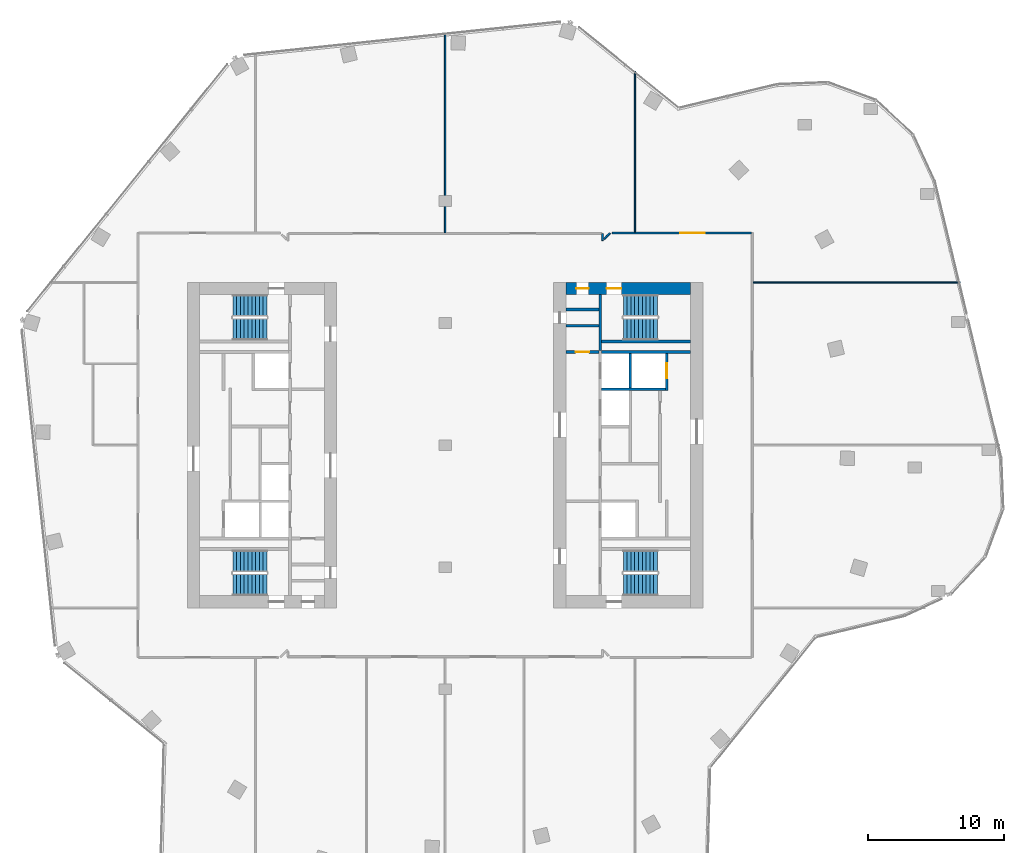
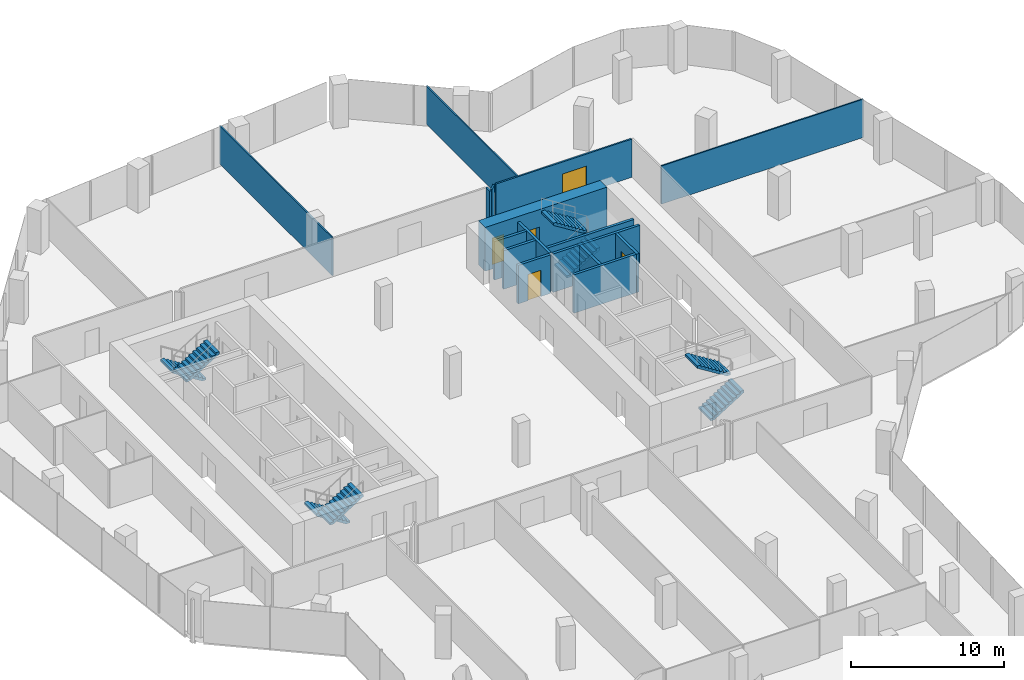
# One storey, part 23 of 26: 16 walls, 8 stair flights, 5 doors, 5 openings, 4 elements without a shape of their own.
"""IFC4 building model written with IfcOpenShell, lengths in metres."""

from ifc_helpers import new_model, si_unit, direction, frame, frame_2d, origin, place, context, subcontext, project, spatial, polyline, rectangle, outline, extrude, material, layer, layer_set, type_object, element, fill, aggregate, save


model = new_model("IFC4")

# Units and contexts
model_context = context("Model", 3, precision=1e-05, world=origin(), true_north=direction((0.0, 1.0)))
body_context = subcontext(model_context, "Body", "Model", "MODEL_VIEW")
ifc_project = project(units=[si_unit("LENGTHUNIT", "METRE"), si_unit("AREAUNIT", "SQUARE_METRE"), si_unit("VOLUMEUNIT", "CUBIC_METRE"), si_unit("PLANEANGLEUNIT", "RADIAN"), si_unit("MASSUNIT", "GRAM", prefix="KILO")], contexts=[model_context])

# Site, building, storey
site_placement = place(None, origin())
site = spatial("IfcSite", under=ifc_project, at=site_placement, CompositionType="ELEMENT")
building_placement = place(site_placement, origin())
building = spatial("IfcBuilding", under=site, at=building_placement, Name="Orlundy Tower", CompositionType="ELEMENT")
storey_placement = place(building_placement, frame((0.0, 0.0, 214.0)))
storey = spatial("IfcBuildingStorey", under=building, at=storey_placement, Name="L56", CompositionType="ELEMENT", Elevation=214.0)

# Wall, openings, doors
ifc_material_1 = material(Name="Concrete C60/75", Category="concrete")
ifc_layer_1 = layer(ifc_material_1, 0.89990234375)
ifc_layer_set_1 = layer_set([ifc_layer_1], Name="CORE WALL 900 C60/75")
wall_type_1 = type_object("IfcWallType", Name="CORE WALL 900 C60/75", PredefinedType="SHEAR", material=ifc_layer_set_1)
wall_1_placement = place(storey_placement, frame((8.89990234375, 11.550048828125, 0.0), z_axis=(0.0, 0.0, 1.0), x_axis=(1.0, 0.0, 0.0)))
wall_1 = element("IfcWall", 1, at=wall_1_placement, inside=storey, type_object=wall_type_1, Name="Core wall E-N L56", PredefinedType="SHEAR", context=body_context, shape_type="SweptSolid", body=[
    extrude(rectangle(XDim=9.2001953125, YDim=0.89990234375, at=frame_2d((4.60009765625, 0.0))), origin(), (0.0, 0.0, 1.0), 3.5),
])
opening_1_placement = place(wall_1_placement, frame((3.0, 0.0, 0.0)))
opening_1 = element("IfcOpeningElement", 2, at=opening_1_placement, cuts=wall_1, Name="Opening 43061", PredefinedType="OPENING", context=body_context, shape_type="SweptSolid", body=[
    extrude(rectangle(XDim=1.10009765625, YDim=2.10009765625, at=frame_2d((0.550048828125, 1.050048828125))), frame((0.0, 0.4599609375, 0.0), z_axis=(0.0, -1.0, 0.0), x_axis=(1.0, 0.0, 0.0)), (0.0, 0.0, 1.0), 0.919921875),
])
opening_2_placement = place(wall_1_placement, frame((0.77001953125, 0.0, 0.0)))
opening_2 = element("IfcOpeningElement", 3, at=opening_2_placement, cuts=wall_1, Name="Opening 43063", PredefinedType="OPENING", context=body_context, shape_type="SweptSolid", body=[
    extrude(rectangle(XDim=0.89990234375, YDim=2.10009765625, at=frame_2d((0.449951171875, 1.050048828125))), frame((0.0, 0.4599609375, 0.0), z_axis=(0.0, -1.0, 0.0), x_axis=(1.0, 0.0, 0.0)), (0.0, 0.0, 1.0), 0.919921875),
])
ifc_material_2 = material(Name="Timber door set", Category="wood")
door_type_1 = type_object("IfcDoorType", Name="Room Door 900x2100", OperationType="SINGLE_SWING_LEFT", PredefinedType="DOOR", material=ifc_material_2)
door_1_placement = place(opening_2_placement, origin())
door_1 = element("IfcDoor", 4, at=door_1_placement, inside=storey, type_object=door_type_1, Name="Store door 43063", OperationType="SINGLE_SWING_LEFT", OverallHeight=2.10009765625, OverallWidth=0.89990234375, PredefinedType="DOOR", context=body_context, shape_type="SweptSolid", body=[
    extrude(rectangle(XDim=0.89990234375, YDim=2.10009765625, at=frame_2d((0.449951171875, 1.050048828125))), frame((0.0, 0.02490234375, 0.0), z_axis=(0.0, -1.0, 0.0), x_axis=(1.0, 0.0, 0.0)), (0.0, 0.0, 1.0), 0.050048828125),
])
fill(opening_2, door_1)
ifc_material_3 = material(Name="Steel door set", Category="steel")
door_type_2 = type_object("IfcDoorType", Name="Stair Door 1100x2100", OperationType="SINGLE_SWING_LEFT", PredefinedType="DOOR", material=ifc_material_3)
door_2_placement = place(opening_1_placement, origin())
door_2 = element("IfcDoor", 5, at=door_2_placement, inside=storey, type_object=door_type_2, Name="Stair door 43061", OperationType="SINGLE_SWING_LEFT", OverallHeight=2.10009765625, OverallWidth=1.10009765625, PredefinedType="DOOR", context=body_context, shape_type="SweptSolid", body=[
    extrude(rectangle(XDim=1.10009765625, YDim=2.10009765625, at=frame_2d((0.550048828125, 1.050048828125))), frame((0.0, 0.02490234375, 0.0), z_axis=(0.0, -1.0, 0.0), x_axis=(1.0, 0.0, 0.0)), (0.0, 0.0, 1.0), 0.050048828125),
])
fill(opening_1, door_2)

# Walls
ifc_material_4 = material(Name="Gypsum board partition")
ifc_layer_2 = layer(ifc_material_4, 0.10009765625)
ifc_layer_set_2 = layer_set([ifc_layer_2], Name="Floor partition 100")
wall_type_2 = type_object("IfcWallType", Name="Floor partition 100", PredefinedType="PARTITIONING", material=ifc_layer_set_2)
wall_2_placement = place(storey_placement, frame((22.712890625, 12.0, 0.0), z_axis=(0.0, 0.0, 1.0), x_axis=(1.0, 0.0, 0.0)))
element("IfcWall", 6, at=wall_2_placement, inside=storey, type_object=wall_type_2, Name="wall-int-L56-017", PredefinedType="PARTITIONING", context=body_context, shape_type="SweptSolid", body=[
    extrude(rectangle(XDim=15.28515625, YDim=0.10009765625, at=frame_2d((7.642578125, 0.0))), origin(), (0.0, 0.0, 1.0), 3.06005859375),
])
wall_3_placement = place(storey_placement, frame((14.0, 15.712890625, 0.0), z_axis=(0.0, 0.0, 1.0), x_axis=(0.0, 1.0, 0.0)))
element("IfcWall", 7, at=wall_3_placement, inside=storey, type_object=wall_type_2, Name="wall-int-L56-026", PredefinedType="PARTITIONING", context=body_context, shape_type="SweptSolid", body=[
    extrude(rectangle(XDim=11.8740234375, YDim=0.10009765625, at=frame_2d((5.93701171875, 0.0))), origin(), (0.0, 0.0, 1.0), 3.06005859375),
])
wall_4_placement = place(storey_placement, frame((0.0, 15.6640625, 0.0), z_axis=(0.0, 0.0, 1.0), x_axis=(0.0, 1.0, 0.0)))
element("IfcWall", 8, at=wall_4_placement, inside=storey, type_object=wall_type_2, Name="wall-int-L56-031", PredefinedType="PARTITIONING", context=body_context, shape_type="SweptSolid", body=[
    extrude(rectangle(XDim=14.7529296875, YDim=0.10009765625, at=frame_2d((7.37646484375, 0.0))), origin(), (0.0, 0.0, 1.0), 3.06005859375),
])

# Wall, opening, door
ifc_material_5 = material(Name="Gypsum board partition, double layer")
ifc_layer_3 = layer(ifc_material_5, 0.125)
ifc_layer_set_3 = layer_set([ifc_layer_3], Name="Floor partition 125")
wall_type_3 = type_object("IfcWallType", Name="Floor partition 125", PredefinedType="PARTITIONING", material=ifc_layer_set_3)
wall_5_placement = place(storey_placement, frame((12.31103515625, 15.65087890625, 0.0), z_axis=(0.0, 0.0, 1.0), x_axis=(1.0, 0.0, 0.0)))
wall_5 = element("IfcWall", 9, at=wall_5_placement, inside=storey, type_object=wall_type_3, Name="wall-int-L56-020", PredefinedType="PARTITIONING", context=body_context, shape_type="SweptSolid", body=[
    extrude(rectangle(XDim=10.27587890625, YDim=0.125, at=frame_2d((5.137939453125, 0.0))), origin(), (0.0, 0.0, 1.0), 3.06005859375),
])
opening_3_placement = place(wall_5_placement, frame((5.0390625, 0.0, 0.0)))
opening_3 = element("IfcOpeningElement", 10, at=opening_3_placement, cuts=wall_5, Name="Opening 43110", PredefinedType="OPENING", context=body_context, shape_type="SweptSolid", body=[
    extrude(rectangle(XDim=1.800048828125, YDim=2.10009765625, at=frame_2d((0.89990234375, 1.050048828125))), frame((0.0, 0.072509765625, 0.0), z_axis=(0.0, -1.0, 0.0), x_axis=(1.0, 0.0, 0.0)), (0.0, 0.0, 1.0), 0.14501953125),
])
ifc_material_6 = material(Name="Timber door leaf", Category="wood")
door_type_3 = type_object("IfcDoorType", Name="Floor door double 1800 FD30S", OperationType="NOTDEFINED", PredefinedType="DOOR", material=ifc_material_6)
door_3_placement = place(opening_3_placement, origin())
door_3 = element("IfcDoor", 11, at=door_3_placement, inside=storey, type_object=door_type_3, Name="Door 43110", OperationType="DOUBLE_DOOR_SINGLE_SWING", OverallHeight=2.10009765625, OverallWidth=1.800048828125, PredefinedType="DOOR", context=body_context, shape_type="SweptSolid", body=[
    extrude(rectangle(XDim=1.800048828125, YDim=2.10009765625, at=frame_2d((0.89990234375, 1.050048828125))), frame((0.0, 0.02490234375, 0.0), z_axis=(0.0, -1.0, 0.0), x_axis=(1.0, 0.0, 0.0)), (0.0, 0.0, 1.0), 0.050048828125),
])
fill(opening_3, door_3)

# Walls
wall_6_placement = place(storey_placement, frame((11.72900390625, 15.20703125, 0.0), z_axis=(0.0, 0.0, 1.0), x_axis=(0.707106781187, 0.707106781187, 0.0)))
element("IfcWall", 12, at=wall_6_placement, inside=storey, type_object=wall_type_3, Name="wall-int-L56-022", PredefinedType="PARTITIONING", context=body_context, shape_type="SweptSolid", body=[
    extrude(rectangle(XDim=0.599609375, YDim=0.125, at=frame_2d((0.2998046875, 0.0))), origin(), (0.0, 0.0, 1.0), 3.06005859375),
])
wall_7_placement = place(storey_placement, frame((11.60107421875, 15.092041015625, 0.0), z_axis=(0.0, 0.0, 1.0), x_axis=(0.0, 1.0, 0.0)))
element("IfcWall", 13, at=wall_7_placement, inside=storey, type_object=wall_type_3, Name="wall-int-L56-028", PredefinedType="PARTITIONING", context=body_context, shape_type="SweptSolid", body=[
    extrude(rectangle(XDim=0.508056640625, YDim=0.125, at=frame_2d((0.25390625, 0.0))), origin(), (0.0, 0.0, 1.0), 3.06005859375),
])
ifc_material_7 = material(Name="Concrete C40/50", Category="concrete")
ifc_layer_4 = layer(ifc_material_7, 0.199951171875)
ifc_layer_set_4 = layer_set([ifc_layer_4], Name="Load-bearing Shaft Wall 200")
wall_type_4 = type_object("IfcWallType", Name="Load-bearing Shaft Wall 200", PredefinedType="SOLIDWALL", material=ifc_layer_set_4)
wall_8_placement = place(storey_placement, frame((11.43994140625, 11.10009765625, 0.0), z_axis=(0.0, 0.0, 1.0), x_axis=(0.0, -1.0, 0.0)))
element("IfcWall", 14, at=wall_8_placement, inside=storey, type_object=wall_type_4, Name="Shaft wall E43-stair-end-s", PredefinedType="SOLIDWALL", context=body_context, shape_type="SweptSolid", body=[
    extrude(rectangle(XDim=4.125, YDim=0.199951171875, at=frame_2d((2.0625, 0.0))), origin(), (0.0, 0.0, 1.0), 3.080078125),
])
wall_9_placement = place(storey_placement, frame((11.5400390625, 7.64990234375, 0.0), z_axis=(0.0, 0.0, 1.0), x_axis=(1.0, 0.0, 0.0)))
element("IfcWall", 15, at=wall_9_placement, inside=storey, type_object=wall_type_4, Name="Shaft wall E43-stair-side-s", PredefinedType="SOLIDWALL", context=body_context, shape_type="SweptSolid", body=[
    extrude(rectangle(XDim=6.56005859375, YDim=0.199951171875, at=frame_2d((3.280029296875, 0.0))), origin(), (0.0, 0.0, 1.0), 3.080078125),
])

# Wall, opening, door
ifc_material_8 = material(Name="Gypsum board partition on steel studs", Category="steel")
ifc_layer_5 = layer(ifc_material_8, 0.199951171875)
ifc_layer_set_5 = layer_set([ifc_layer_5], Name="Partition 200")
wall_type_5 = type_object("IfcWallType", Name="Partition 200", PredefinedType="PARTITIONING", material=ifc_layer_set_5)
wall_10_placement = place(storey_placement, frame((8.89990234375, 6.875, 0.0), z_axis=(0.0, 0.0, 1.0), x_axis=(1.0, 0.0, 0.0)))
wall_10 = element("IfcWall", 16, at=wall_10_placement, inside=storey, type_object=wall_type_5, Name="Partition wall E43-end-s", PredefinedType="PARTITIONING", context=body_context, shape_type="SweptSolid", body=[
    extrude(rectangle(XDim=2.440185546875, YDim=0.199951171875, at=frame_2d((1.22021484375, 0.0))), origin(), (0.0, 0.0, 1.0), 3.080078125),
])
opening_4_placement = place(wall_10_placement, frame((0.719970703125, 0.0, 0.0)))
opening_4 = element("IfcOpeningElement", 17, at=opening_4_placement, cuts=wall_10, Name="Opening 43065", PredefinedType="OPENING", context=body_context, shape_type="SweptSolid", body=[
    extrude(rectangle(XDim=1.0, YDim=2.10009765625, at=frame_2d((0.5, 1.050048828125))), frame((0.0, 0.110107421875, 0.0), z_axis=(0.0, -1.0, 0.0), x_axis=(1.0, 0.0, 0.0)), (0.0, 0.0, 1.0), 0.22021484375),
])
ifc_material_9 = material(Name="Timber door set", Category="wood")
door_type_4 = type_object("IfcDoorType", Name="Accessible Door 1000x2100", OperationType="SINGLE_SWING_LEFT", PredefinedType="DOOR", material=ifc_material_9)
door_4_placement = place(opening_4_placement, origin())
door_4 = element("IfcDoor", 18, at=door_4_placement, inside=storey, type_object=door_type_4, Name="Accessible WC door 43065", OperationType="SINGLE_SWING_RIGHT", OverallHeight=2.10009765625, OverallWidth=1.0, PredefinedType="DOOR", context=body_context, shape_type="SweptSolid", body=[
    extrude(rectangle(XDim=1.0, YDim=2.10009765625, at=frame_2d((0.5, 1.050048828125))), frame((0.0, 0.02490234375, 0.0), z_axis=(0.0, -1.0, 0.0), x_axis=(1.0, 0.0, 0.0)), (0.0, 0.0, 1.0), 0.050048828125),
])
fill(opening_4, door_4)

# Walls
for number, where, z_axis, x_axis, name in (
    (19, (8.89990234375, 10.0, 0.0), (0.0, 0.0, 1.0), (1.0, 0.0, 0.0), "Partition wall E43-room-s0"),
    (20, (8.89990234375, 8.800048828125, 0.0), (0.0, 0.0, 1.0), (1.0, 0.0, 0.0), "Partition wall E43-room-s1"),
):
    element("IfcWall", number, at=place(storey_placement, frame(where, z_axis=z_axis, x_axis=x_axis)), inside=storey, type_object=wall_type_5, Name=name, PredefinedType="PARTITIONING", context=body_context, shape_type="SweptSolid", body=[
        extrude(rectangle(XDim=2.440185546875, YDim=0.199951171875, at=frame_2d((1.22021484375, 0.0))), origin(), (0.0, 0.0, 1.0), 3.080078125),
    ])
ifc_material_10 = material(Name="Fire-rated blockwork shaft wall", Category="masonry")
ifc_layer_6 = layer(ifc_material_10, 0.199951171875)
ifc_layer_set_6 = layer_set([ifc_layer_6], Name="Shaft Wall 200")
wall_type_6 = type_object("IfcWallType", Name="Shaft Wall 200", PredefinedType="SOLIDWALL", material=ifc_layer_set_6)
wall_11_placement = place(storey_placement, frame((11.5400390625, 6.875, 0.0), z_axis=(0.0, 0.0, 1.0), x_axis=(1.0, 0.0, 0.0)))
element("IfcWall", 21, at=wall_11_placement, inside=storey, type_object=wall_type_6, Name="Shaft wall E43-zone-s", PredefinedType="SOLIDWALL", context=body_context, shape_type="SweptSolid", body=[
    extrude(rectangle(XDim=6.56005859375, YDim=0.199951171875, at=frame_2d((3.280029296875, 0.0))), origin(), (0.0, 0.0, 1.0), 3.080078125),
])
wall_12_placement = place(storey_placement, frame((11.5400390625, 4.125, 0.0), z_axis=(0.0, 0.0, 1.0), x_axis=(1.0, 0.0, 0.0)))
element("IfcWall", 22, at=wall_12_placement, inside=storey, type_object=wall_type_6, Name="Shaft wall E43-cross-4.125", PredefinedType="SOLIDWALL", context=body_context, shape_type="SweptSolid", body=[
    extrude(rectangle(XDim=4.699951171875, YDim=0.199951171875, at=frame_2d((2.35009765625, 0.0))), origin(), (0.0, 0.0, 1.0), 3.080078125),
])
wall_13_placement = place(storey_placement, frame((13.639892578125, 6.77490234375, 0.0), z_axis=(0.0, 0.0, 1.0), x_axis=(0.0, -1.0, 0.0)))
element("IfcWall", 23, at=wall_13_placement, inside=storey, type_object=wall_type_6, Name="Shaft wall E43-mid-a", PredefinedType="SOLIDWALL", context=body_context, shape_type="SweptSolid", body=[
    extrude(rectangle(XDim=2.5498046875, YDim=0.199951171875, at=frame_2d((1.27490234375, 0.0))), origin(), (0.0, 0.0, 1.0), 3.080078125),
])

# Wall, opening, door
wall_14_placement = place(storey_placement, frame((16.340087890625, 6.77490234375, 0.0), z_axis=(0.0, 0.0, 1.0), x_axis=(0.0, -1.0, 0.0)))
wall_14 = element("IfcWall", 24, at=wall_14_placement, inside=storey, type_object=wall_type_6, Name="Shaft wall E43-front-o-a", PredefinedType="SOLIDWALL", context=body_context, shape_type="SweptSolid", body=[
    extrude(rectangle(XDim=2.75, YDim=0.199951171875, at=frame_2d((1.375, 0.0))), origin(), (0.0, 0.0, 1.0), 3.080078125),
])
opening_5_placement = place(wall_14_placement, frame((0.72509765625, 0.0, 0.0)))
opening_5 = element("IfcOpeningElement", 25, at=opening_5_placement, cuts=wall_14, Name="Opening 43051", PredefinedType="OPENING", context=body_context, shape_type="SweptSolid", body=[
    extrude(rectangle(XDim=1.10009765625, YDim=2.10009765625, at=frame_2d((0.550048828125, 1.050048828125))), frame((0.0, 0.110107421875, 0.0), z_axis=(0.0, -1.0, 0.0), x_axis=(1.0, 0.0, 0.0)), (0.0, 0.0, 1.0), 0.22021484375),
])
ifc_material_11 = material(Name="Steel door set", Category="steel")
door_type_5 = type_object("IfcDoorType", Name="Landing Door 1100x2100", OperationType="DOUBLE_DOOR_SLIDING", PredefinedType="DOOR", material=ifc_material_11)
door_5_placement = place(opening_5_placement, origin())
door_5 = element("IfcDoor", 26, at=door_5_placement, inside=storey, type_object=door_type_5, Name="Lift landing door LV-02 43051", OperationType="DOUBLE_DOOR_SLIDING", OverallHeight=2.10009765625, OverallWidth=1.10009765625, PredefinedType="DOOR", context=body_context, shape_type="SweptSolid", body=[
    extrude(rectangle(XDim=1.10009765625, YDim=2.10009765625, at=frame_2d((0.550048828125, 1.050048828125))), frame((0.0, 0.02490234375, 0.0), z_axis=(0.0, -1.0, 0.0), x_axis=(1.0, 0.0, 0.0)), (0.0, 0.0, 1.0), 0.050048828125),
])
fill(opening_5, door_5)

# Stair, stair flights
ifc_material_12 = material(Name="Concrete C50/60", Category="concrete")
stair_type = type_object("IfcStairType", Name="Exit Stair 20 risers", PredefinedType="HALF_TURN_STAIR", material=ifc_material_12)
stair_1_placement = place(storey_placement, origin())
stair_1 = element("IfcStair", 27, at=stair_1_placement, inside=storey, type_object=stair_type, Name="L56 Exit Stair ST-W1", PredefinedType="HALF_TURN_STAIR")
ifc_material_13 = material(Name="Concrete C50/60", Category="concrete")
stair_flight_type = type_object("IfcStairFlightType", Name="Stair Flight 10 risers", PredefinedType="STRAIGHT", material=ifc_material_13)
stair_flight_1_placement = place(storey_placement, frame((-13.139892578125, 10.300048828125, 0.0), z_axis=(0.0, 0.0, 1.0), x_axis=(-1.0, 0.0, 0.0)))
stair_flight_1 = element("IfcStairFlight", 28, at=stair_flight_1_placement, type_object=stair_flight_type, Name="ST-W1 flight 1", NumberOfRisers=10, NumberOfTreads=9, PredefinedType="STRAIGHT", RiserHeight=0.175, TreadLength=0.28, context=body_context, shape_type="SweptSolid", body=[
    extrude(outline(polyline([(0.0, 0.0), (0.0, 0.175048828125), (0.280029296875, 0.175048828125), (0.280029296875, 0.35009765625), (0.56005859375, 0.35009765625), (0.56005859375, 0.52490234375), (0.840087890625, 0.52490234375), (0.840087890625, 0.699951171875), (1.1201171875, 0.699951171875), (1.1201171875, 0.875), (1.39990234375, 0.875), (1.39990234375, 1.050048828125), (1.679931640625, 1.050048828125), (1.679931640625, 1.22509765625), (1.9599609375, 1.22509765625), (1.9599609375, 1.39990234375), (2.239990234375, 1.39990234375), (2.239990234375, 1.574951171875), (2.52001953125, 1.574951171875), (2.52001953125, 1.75), (2.52001953125, 1.398193359375), (0.28271484375, 0.0), (0.0, 0.0)])), frame((0.0, 0.800048828125, 0.0), z_axis=(0.0, -1.0, 0.0), x_axis=(1.0, 0.0, 0.0)), (0.0, 0.0, 1.0), 1.60009765625),
])
stair_flight_2_placement = place(storey_placement, frame((-15.659912109375, 8.550048828125, 1.75), z_axis=(0.0, 0.0, 1.0), x_axis=(1.0, 0.0, 0.0)))
stair_flight_2 = element("IfcStairFlight", 29, at=stair_flight_2_placement, type_object=stair_flight_type, Name="ST-W1 flight 2", NumberOfRisers=10, NumberOfTreads=9, PredefinedType="STRAIGHT", RiserHeight=0.175, TreadLength=0.28, context=body_context, shape_type="SweptSolid", body=[
    extrude(outline(polyline([(0.0, 0.0), (0.0, 0.175048828125), (0.280029296875, 0.175048828125), (0.280029296875, 0.35009765625), (0.56005859375, 0.35009765625), (0.56005859375, 0.52490234375), (0.840087890625, 0.52490234375), (0.840087890625, 0.699951171875), (1.1201171875, 0.699951171875), (1.1201171875, 0.875), (1.39990234375, 0.875), (1.39990234375, 1.050048828125), (1.679931640625, 1.050048828125), (1.679931640625, 1.22509765625), (1.9599609375, 1.22509765625), (1.9599609375, 1.39990234375), (2.239990234375, 1.39990234375), (2.239990234375, 1.574951171875), (2.52001953125, 1.574951171875), (2.52001953125, 1.75), (2.52001953125, 1.398193359375), (0.28271484375, 0.0), (0.0, 0.0)])), frame((0.0, 0.800048828125, 0.0), z_axis=(0.0, -1.0, 0.0), x_axis=(1.0, 0.0, 0.0)), (0.0, 0.0, 1.0), 1.60009765625),
])
aggregate(stair_1, [stair_flight_1, stair_flight_2])

stair_2_placement = place(storey_placement, origin())
stair_2 = element("IfcStair", 30, at=stair_2_placement, inside=storey, type_object=stair_type, Name="L56 Exit Stair ST-W2", PredefinedType="HALF_TURN_STAIR")
stair_flight_3_placement = place(storey_placement, frame((-13.139892578125, -8.550048828125, 0.0), z_axis=(0.0, 0.0, 1.0), x_axis=(-1.0, 0.0, 0.0)))
stair_flight_3 = element("IfcStairFlight", 31, at=stair_flight_3_placement, type_object=stair_flight_type, Name="ST-W2 flight 1", NumberOfRisers=10, NumberOfTreads=9, PredefinedType="STRAIGHT", RiserHeight=0.175, TreadLength=0.28, context=body_context, shape_type="SweptSolid", body=[
    extrude(outline(polyline([(0.0, 0.0), (0.0, 0.175048828125), (0.280029296875, 0.175048828125), (0.280029296875, 0.35009765625), (0.56005859375, 0.35009765625), (0.56005859375, 0.52490234375), (0.840087890625, 0.52490234375), (0.840087890625, 0.699951171875), (1.1201171875, 0.699951171875), (1.1201171875, 0.875), (1.39990234375, 0.875), (1.39990234375, 1.050048828125), (1.679931640625, 1.050048828125), (1.679931640625, 1.22509765625), (1.9599609375, 1.22509765625), (1.9599609375, 1.39990234375), (2.239990234375, 1.39990234375), (2.239990234375, 1.574951171875), (2.52001953125, 1.574951171875), (2.52001953125, 1.75), (2.52001953125, 1.398193359375), (0.28271484375, 0.0), (0.0, 0.0)])), frame((0.0, 0.800048828125, 0.0), z_axis=(0.0, -1.0, 0.0), x_axis=(1.0, 0.0, 0.0)), (0.0, 0.0, 1.0), 1.60009765625),
])
stair_flight_4_placement = place(storey_placement, frame((-15.659912109375, -10.300048828125, 1.75), z_axis=(0.0, 0.0, 1.0), x_axis=(1.0, 0.0, 0.0)))
stair_flight_4 = element("IfcStairFlight", 32, at=stair_flight_4_placement, type_object=stair_flight_type, Name="ST-W2 flight 2", NumberOfRisers=10, NumberOfTreads=9, PredefinedType="STRAIGHT", RiserHeight=0.175, TreadLength=0.28, context=body_context, shape_type="SweptSolid", body=[
    extrude(outline(polyline([(0.0, 0.0), (0.0, 0.175048828125), (0.280029296875, 0.175048828125), (0.280029296875, 0.35009765625), (0.56005859375, 0.35009765625), (0.56005859375, 0.52490234375), (0.840087890625, 0.52490234375), (0.840087890625, 0.699951171875), (1.1201171875, 0.699951171875), (1.1201171875, 0.875), (1.39990234375, 0.875), (1.39990234375, 1.050048828125), (1.679931640625, 1.050048828125), (1.679931640625, 1.22509765625), (1.9599609375, 1.22509765625), (1.9599609375, 1.39990234375), (2.239990234375, 1.39990234375), (2.239990234375, 1.574951171875), (2.52001953125, 1.574951171875), (2.52001953125, 1.75), (2.52001953125, 1.398193359375), (0.28271484375, 0.0), (0.0, 0.0)])), frame((0.0, 0.800048828125, 0.0), z_axis=(0.0, -1.0, 0.0), x_axis=(1.0, 0.0, 0.0)), (0.0, 0.0, 1.0), 1.60009765625),
])
aggregate(stair_2, [stair_flight_3, stair_flight_4])

stair_3_placement = place(storey_placement, origin())
stair_3 = element("IfcStair", 33, at=stair_3_placement, inside=storey, type_object=stair_type, Name="L56 Exit Stair ST-E1", PredefinedType="HALF_TURN_STAIR")
stair_flight_5_placement = place(storey_placement, frame((13.139892578125, -10.300048828125, 0.0), z_axis=(0.0, 0.0, 1.0), x_axis=(1.0, 0.0, 0.0)))
stair_flight_5 = element("IfcStairFlight", 34, at=stair_flight_5_placement, type_object=stair_flight_type, Name="ST-E1 flight 1", NumberOfRisers=10, NumberOfTreads=9, PredefinedType="STRAIGHT", RiserHeight=0.175, TreadLength=0.28, context=body_context, shape_type="SweptSolid", body=[
    extrude(outline(polyline([(0.0, 0.0), (0.0, 0.175048828125), (0.280029296875, 0.175048828125), (0.280029296875, 0.35009765625), (0.56005859375, 0.35009765625), (0.56005859375, 0.52490234375), (0.840087890625, 0.52490234375), (0.840087890625, 0.699951171875), (1.1201171875, 0.699951171875), (1.1201171875, 0.875), (1.39990234375, 0.875), (1.39990234375, 1.050048828125), (1.679931640625, 1.050048828125), (1.679931640625, 1.22509765625), (1.9599609375, 1.22509765625), (1.9599609375, 1.39990234375), (2.239990234375, 1.39990234375), (2.239990234375, 1.574951171875), (2.52001953125, 1.574951171875), (2.52001953125, 1.75), (2.52001953125, 1.398193359375), (0.28271484375, 0.0), (0.0, 0.0)])), frame((0.0, 0.800048828125, 0.0), z_axis=(0.0, -1.0, 0.0), x_axis=(1.0, 0.0, 0.0)), (0.0, 0.0, 1.0), 1.60009765625),
])
stair_flight_6_placement = place(storey_placement, frame((15.659912109375, -8.550048828125, 1.75), z_axis=(0.0, 0.0, 1.0), x_axis=(-1.0, 0.0, 0.0)))
stair_flight_6 = element("IfcStairFlight", 35, at=stair_flight_6_placement, type_object=stair_flight_type, Name="ST-E1 flight 2", NumberOfRisers=10, NumberOfTreads=9, PredefinedType="STRAIGHT", RiserHeight=0.175, TreadLength=0.28, context=body_context, shape_type="SweptSolid", body=[
    extrude(outline(polyline([(0.0, 0.0), (0.0, 0.175048828125), (0.280029296875, 0.175048828125), (0.280029296875, 0.35009765625), (0.56005859375, 0.35009765625), (0.56005859375, 0.52490234375), (0.840087890625, 0.52490234375), (0.840087890625, 0.699951171875), (1.1201171875, 0.699951171875), (1.1201171875, 0.875), (1.39990234375, 0.875), (1.39990234375, 1.050048828125), (1.679931640625, 1.050048828125), (1.679931640625, 1.22509765625), (1.9599609375, 1.22509765625), (1.9599609375, 1.39990234375), (2.239990234375, 1.39990234375), (2.239990234375, 1.574951171875), (2.52001953125, 1.574951171875), (2.52001953125, 1.75), (2.52001953125, 1.398193359375), (0.28271484375, 0.0), (0.0, 0.0)])), frame((0.0, 0.800048828125, 0.0), z_axis=(0.0, -1.0, 0.0), x_axis=(1.0, 0.0, 0.0)), (0.0, 0.0, 1.0), 1.60009765625),
])
aggregate(stair_3, [stair_flight_5, stair_flight_6])

stair_4_placement = place(storey_placement, origin())
stair_4 = element("IfcStair", 36, at=stair_4_placement, inside=storey, type_object=stair_type, Name="L56 Exit Stair ST-E2", PredefinedType="HALF_TURN_STAIR")
stair_flight_7_placement = place(storey_placement, frame((13.139892578125, 8.550048828125, 0.0), z_axis=(0.0, 0.0, 1.0), x_axis=(1.0, 0.0, 0.0)))
stair_flight_7 = element("IfcStairFlight", 37, at=stair_flight_7_placement, type_object=stair_flight_type, Name="ST-E2 flight 1", NumberOfRisers=10, NumberOfTreads=9, PredefinedType="STRAIGHT", RiserHeight=0.175, TreadLength=0.28, context=body_context, shape_type="SweptSolid", body=[
    extrude(outline(polyline([(0.0, 0.0), (0.0, 0.175048828125), (0.280029296875, 0.175048828125), (0.280029296875, 0.35009765625), (0.56005859375, 0.35009765625), (0.56005859375, 0.52490234375), (0.840087890625, 0.52490234375), (0.840087890625, 0.699951171875), (1.1201171875, 0.699951171875), (1.1201171875, 0.875), (1.39990234375, 0.875), (1.39990234375, 1.050048828125), (1.679931640625, 1.050048828125), (1.679931640625, 1.22509765625), (1.9599609375, 1.22509765625), (1.9599609375, 1.39990234375), (2.239990234375, 1.39990234375), (2.239990234375, 1.574951171875), (2.52001953125, 1.574951171875), (2.52001953125, 1.75), (2.52001953125, 1.398193359375), (0.28271484375, 0.0), (0.0, 0.0)])), frame((0.0, 0.800048828125, 0.0), z_axis=(0.0, -1.0, 0.0), x_axis=(1.0, 0.0, 0.0)), (0.0, 0.0, 1.0), 1.60009765625),
])
stair_flight_8_placement = place(storey_placement, frame((15.659912109375, 10.300048828125, 1.75), z_axis=(0.0, 0.0, 1.0), x_axis=(-1.0, 0.0, 0.0)))
stair_flight_8 = element("IfcStairFlight", 38, at=stair_flight_8_placement, type_object=stair_flight_type, Name="ST-E2 flight 2", NumberOfRisers=10, NumberOfTreads=9, PredefinedType="STRAIGHT", RiserHeight=0.175, TreadLength=0.28, context=body_context, shape_type="SweptSolid", body=[
    extrude(outline(polyline([(0.0, 0.0), (0.0, 0.175048828125), (0.280029296875, 0.175048828125), (0.280029296875, 0.35009765625), (0.56005859375, 0.35009765625), (0.56005859375, 0.52490234375), (0.840087890625, 0.52490234375), (0.840087890625, 0.699951171875), (1.1201171875, 0.699951171875), (1.1201171875, 0.875), (1.39990234375, 0.875), (1.39990234375, 1.050048828125), (1.679931640625, 1.050048828125), (1.679931640625, 1.22509765625), (1.9599609375, 1.22509765625), (1.9599609375, 1.39990234375), (2.239990234375, 1.39990234375), (2.239990234375, 1.574951171875), (2.52001953125, 1.574951171875), (2.52001953125, 1.75), (2.52001953125, 1.398193359375), (0.28271484375, 0.0), (0.0, 0.0)])), frame((0.0, 0.800048828125, 0.0), z_axis=(0.0, -1.0, 0.0), x_axis=(1.0, 0.0, 0.0)), (0.0, 0.0, 1.0), 1.60009765625),
])
aggregate(stair_4, [stair_flight_7, stair_flight_8])

save(model, "model.ifc")
